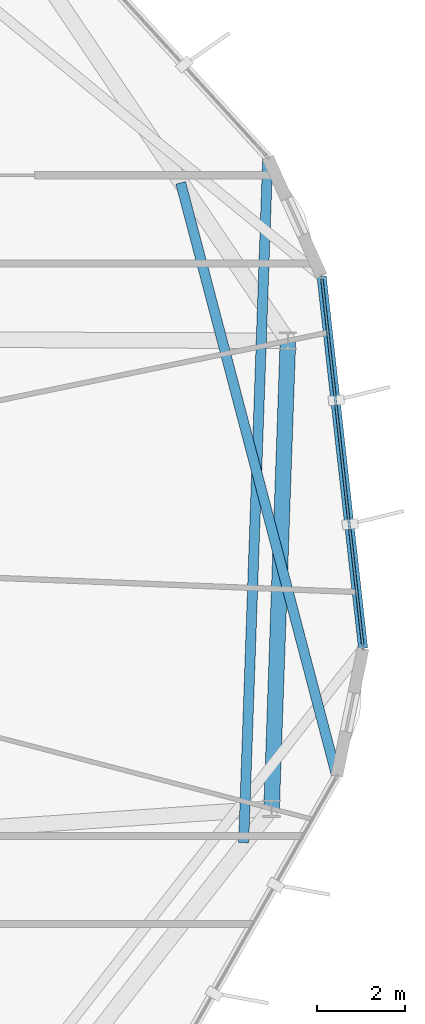
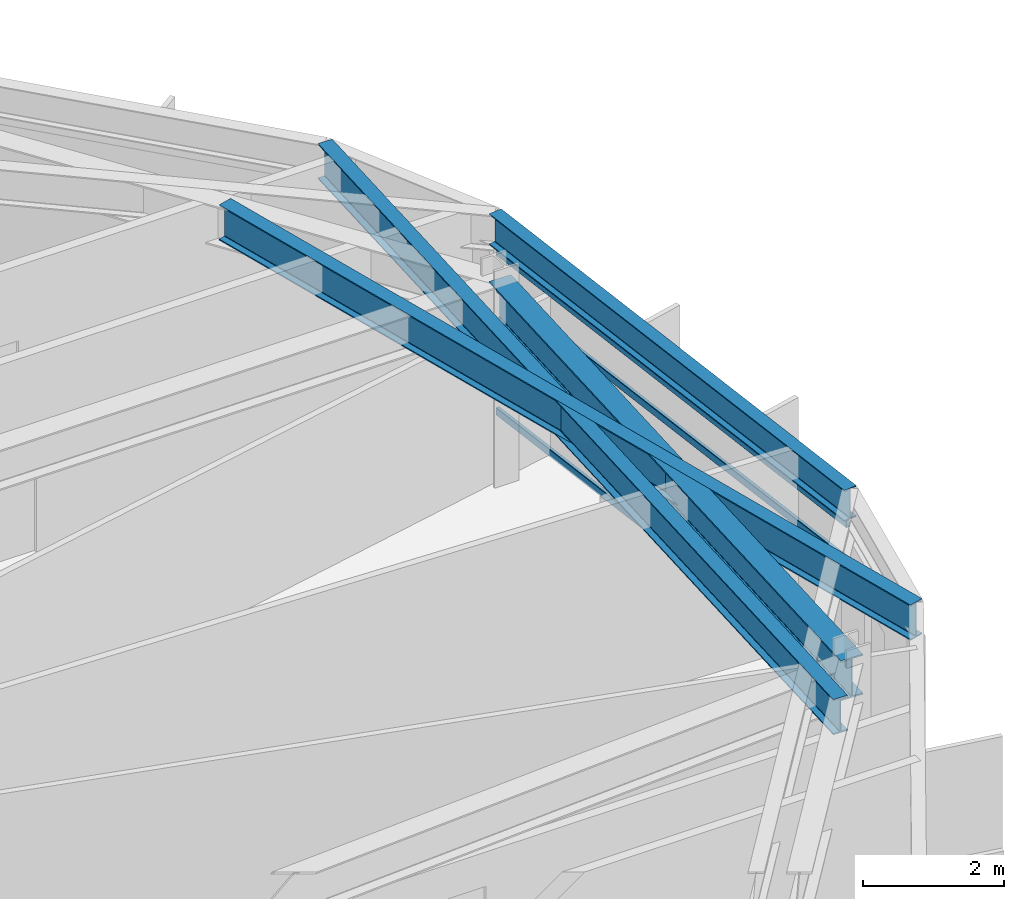
# One storey, part 11 of 23: 4 beams, 3 members, 1 element without a shape of its own.
"""IFC4 building model written with IfcOpenShell, lengths in metres."""

from ifc_helpers import new_model, si_unit, direction, frame, origin, origin_2d, place, context, subcontext, project, spatial, hollow_rectangle, i_section, extrude, material, layer, layer_set, material_profile, profile_set, type_object, element, aggregate, save


model = new_model("IFC4")

# Units and contexts
model_context = context("Model", 3, precision=1e-05, world=origin(), true_north=direction((0.0, 1.0)))
body_context = subcontext(model_context, "Body", "Model", "MODEL_VIEW")
ifc_project = project(units=[si_unit("LENGTHUNIT", "METRE"), si_unit("AREAUNIT", "SQUARE_METRE"), si_unit("VOLUMEUNIT", "CUBIC_METRE"), si_unit("PLANEANGLEUNIT", "RADIAN"), si_unit("MASSUNIT", "GRAM", prefix="KILO")], contexts=[model_context])

# Site, building, storey
site_placement = place(None, origin())
site = spatial("IfcSite", under=ifc_project, at=site_placement, CompositionType="ELEMENT")
building_placement = place(site_placement, origin())
building = spatial("IfcBuilding", under=site, at=building_placement, Name="Soratama Intermodal Tower", CompositionType="ELEMENT")
storey_placement = place(building_placement, frame((0.0, 0.0, 257.5)))
storey = spatial("IfcBuildingStorey", under=building, at=storey_placement, Name="L65", CompositionType="ELEMENT", Elevation=257.5)

# Beams
ifc_material_1 = material(Name="Structural steel ASTM A992 Grade 50", Category="steel")
ifc_material_profile_1 = material_profile(ifc_material_1, i_section(OverallWidth=0.35498046875, OverallDepth=0.695068359375, WebThickness=0.015380859375, FlangeThickness=0.02490234375, FilletRadius=0.01611328125, at=origin_2d()), Name="W27X146")
ifc_profile_set_1 = profile_set([ifc_material_profile_1], Name="Structural steel ASTM A992 Grade 50")
beam_type_1 = type_object("IfcBeamType", Name="BM-RING-W27X146", PredefinedType="BEAM", material=ifc_profile_set_1)
beam_1_placement = place(storey_placement, frame((61.1630859375, 19.116943359375, 3.1025390625), z_axis=(0.034885453879, 0.999391317307, 0.0), x_axis=(-0.999391317307, 0.034885453879, 0.0)))
element("IfcBeam", 1, at=beam_1_placement, inside=storey, type_object=beam_type_1, Name="BM-L65-RING-10", PredefinedType="BEAM", context=body_context, shape_type="SweptSolid", body=[
    extrude(i_section(OverallWidth=0.35498046875, OverallDepth=0.695068359375, WebThickness=0.015380859375, FlangeThickness=0.02490234375, FilletRadius=0.01611328125, at=origin_2d()), origin(), (0.0, 0.0, 1.0), 10.630615234375),
])
ifc_material_2 = material(Name="Structural steel ASTM A992 Grade 50", Category="steel")
ifc_material_profile_2 = material_profile(ifc_material_2, i_section(OverallWidth=0.2099609375, OverallDepth=0.537109375, WebThickness=0.010986328125, FlangeThickness=0.017333984375, FilletRadius=0.012939453125, at=origin_2d()), Name="W21X68")
ifc_profile_set_2 = profile_set([ifc_material_profile_2], Name="Structural steel ASTM A992 Grade 50")
beam_type_2 = type_object("IfcBeamType", Name="BM-SPN-W21X68", PredefinedType="SPANDREL", material=ifc_profile_set_2)
beam_2_placement = place(storey_placement, frame((63.240966796875, 22.757080078125, 3.181396484375), z_axis=(-0.110819299042, 0.993840572205, 0.0), x_axis=(-0.993840572205, -0.110819299042, 0.0)))
element("IfcBeam", 2, at=beam_2_placement, inside=storey, type_object=beam_type_2, Name="BS-L65-F09", PredefinedType="SPANDREL", context=body_context, shape_type="SweptSolid", body=[
    extrude(i_section(OverallWidth=0.2099609375, OverallDepth=0.537109375, WebThickness=0.010986328125, FlangeThickness=0.017333984375, FilletRadius=0.012939453125, at=origin_2d()), origin(), (0.0, 0.0, 1.0), 8.499267578125),
])
ifc_material_3 = material(Name="Structural steel ASTM A992 Grade 50", Category="steel")
ifc_material_profile_3 = material_profile(ifc_material_3, i_section(OverallWidth=0.22900390625, OverallDepth=0.612060546875, WebThickness=0.011962890625, FlangeThickness=0.01953125, FilletRadius=0.012939453125, at=origin_2d()), Name="W24X84")
ifc_profile_set_3 = profile_set([ifc_material_profile_3], Name="Structural steel ASTM A992 Grade 50")
beam_type_3 = type_object("IfcBeamType", Name="BM-TIE-W24X84", PredefinedType="BEAM", material=ifc_profile_set_3)
beam_3_placement = place(storey_placement, frame((59.09912109375, 33.326904296875, 3.14404296875), z_axis=(0.2542716414, -0.967132841123, 0.0), x_axis=(0.967132841123, 0.2542716414, 0.0)))
element("IfcBeam", 3, at=beam_3_placement, inside=storey, type_object=beam_type_3, Name="BM-L65-TIE1-08", PredefinedType="BEAM", context=body_context, shape_type="SweptSolid", body=[
    extrude(i_section(OverallWidth=0.22900390625, OverallDepth=0.612060546875, WebThickness=0.011962890625, FlangeThickness=0.01953125, FilletRadius=0.012939453125, at=origin_2d()), origin(), (0.0, 0.0, 1.0), 13.933837890625),
])
beam_4_placement = place(storey_placement, frame((60.529052734375, 18.343994140625, 3.14404296875), z_axis=(0.035055151823, 0.999385379286, 0.0), x_axis=(-0.999385379286, 0.035055151823, 0.0)))
element("IfcBeam", 4, at=beam_4_placement, inside=storey, type_object=beam_type_3, Name="BM-L65-TIE0-10", PredefinedType="BEAM", context=body_context, shape_type="SweptSolid", body=[
    extrude(i_section(OverallWidth=0.22900390625, OverallDepth=0.612060546875, WebThickness=0.011962890625, FlangeThickness=0.01953125, FilletRadius=0.012939453125, at=origin_2d()), origin(), (0.0, 0.0, 1.0), 15.572509765625),
])

# Curtain wall, members
ifc_material_4 = material(Name="Double-glazed aluminium curtain wall", Category="aluminium")
ifc_layer = layer(ifc_material_4, 0.159912109375)
ifc_layer_set = layer_set([ifc_layer], Name="Double-glazed aluminium curtain wall")
curtain_wall_type = type_object("IfcCurtainWallType", Name="CW-SYS-5", PredefinedType="NOTDEFINED", material=ifc_layer_set)
curtain_wall_placement = place(storey_placement, origin())
curtain_wall = element("IfcCurtainWall", 5, at=curtain_wall_placement, inside=storey, type_object=curtain_wall_type, Name="L65 Faceted Curtain Wall F09", PredefinedType="NOTDEFINED")
ifc_material_5 = material(Name="Anodised aluminium AA 6063-T6", Category="aluminium")
ifc_material_profile_4 = material_profile(ifc_material_5, hollow_rectangle(XDim=0.06005859375, YDim=0.1298828125, WallThickness=0.0048828125, InnerFilletRadius=0.0048828125, OuterFilletRadius=0.010009765625, at=origin_2d()), Name="CWT130X60X5")
ifc_profile_set_4 = profile_set([ifc_material_profile_4], Name="Anodised aluminium AA 6063-T6")
member_type = type_object("IfcMemberType", Name="TT-CWT-2", PredefinedType="USERDEFINED", material=ifc_profile_set_4)
member_1_placement = place(storey_placement, frame((63.23388671875, 22.816650390625, 0.030029296875), z_axis=(-0.110770478083, 0.993846014826, 0.0), x_axis=(-0.993846014826, -0.110770478083, 0.0)))
member_1 = element("IfcMember", 6, at=member_1_placement, type_object=member_type, Name="CW-5 transom 1.1", ObjectType="TRANSOM", PredefinedType="USERDEFINED", context=body_context, shape_type="SweptSolid", body=[
    extrude(hollow_rectangle(XDim=0.06005859375, YDim=0.1298828125, WallThickness=0.0048828125, InnerFilletRadius=0.0048828125, OuterFilletRadius=0.010009765625, at=origin_2d()), origin(), (0.0, 0.0, 1.0), 8.379638671875),
])
member_2_placement = place(storey_placement, frame((63.23388671875, 22.816650390625, 2.14990234375), z_axis=(-0.110770478083, 0.993846014826, 0.0), x_axis=(-0.993846014826, -0.110770478083, 0.0)))
member_2 = element("IfcMember", 7, at=member_2_placement, type_object=member_type, Name="CW-5 transom 1.2", ObjectType="TRANSOM", PredefinedType="USERDEFINED", context=body_context, shape_type="SweptSolid", body=[
    extrude(hollow_rectangle(XDim=0.06005859375, YDim=0.1298828125, WallThickness=0.0048828125, InnerFilletRadius=0.0048828125, OuterFilletRadius=0.010009765625, at=origin_2d()), origin(), (0.0, 0.0, 1.0), 8.379638671875),
])
member_3_placement = place(storey_placement, frame((63.23388671875, 22.816650390625, 2.799072265625), z_axis=(-0.110770478083, 0.993846014826, 0.0), x_axis=(-0.993846014826, -0.110770478083, 0.0)))
member_3 = element("IfcMember", 8, at=member_3_placement, type_object=member_type, Name="CW-5 transom 1.3", ObjectType="TRANSOM", PredefinedType="USERDEFINED", context=body_context, shape_type="SweptSolid", body=[
    extrude(hollow_rectangle(XDim=0.06005859375, YDim=0.1298828125, WallThickness=0.0048828125, InnerFilletRadius=0.0048828125, OuterFilletRadius=0.010009765625, at=origin_2d()), origin(), (0.0, 0.0, 1.0), 8.379638671875),
])
aggregate(curtain_wall, [member_1, member_2, member_3])

save(model, "model.ifc")
